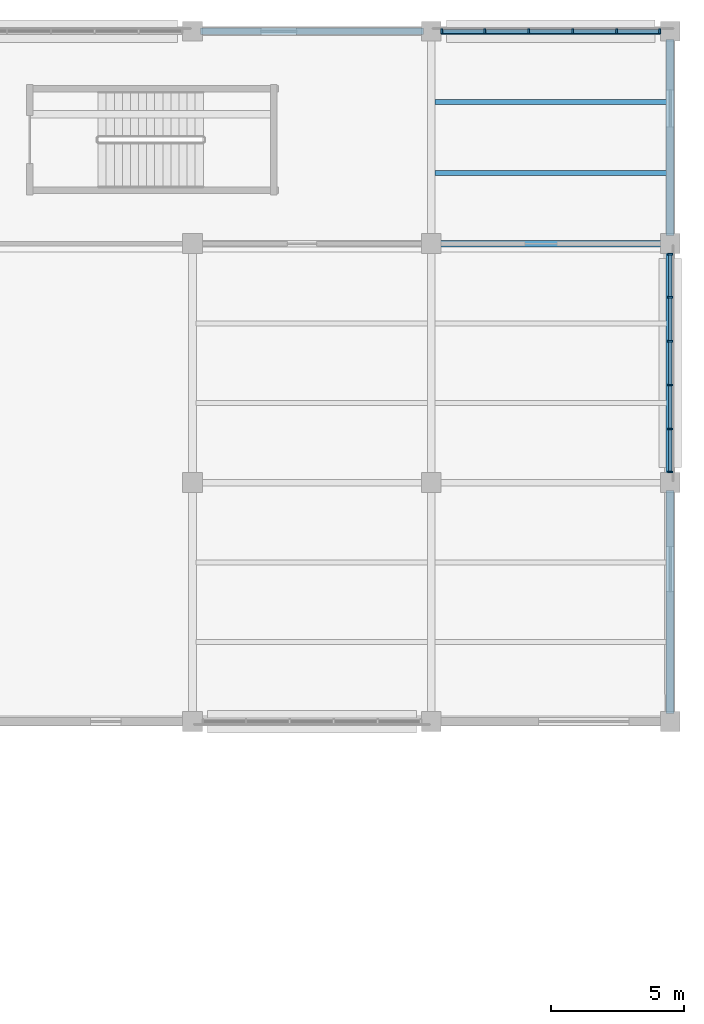
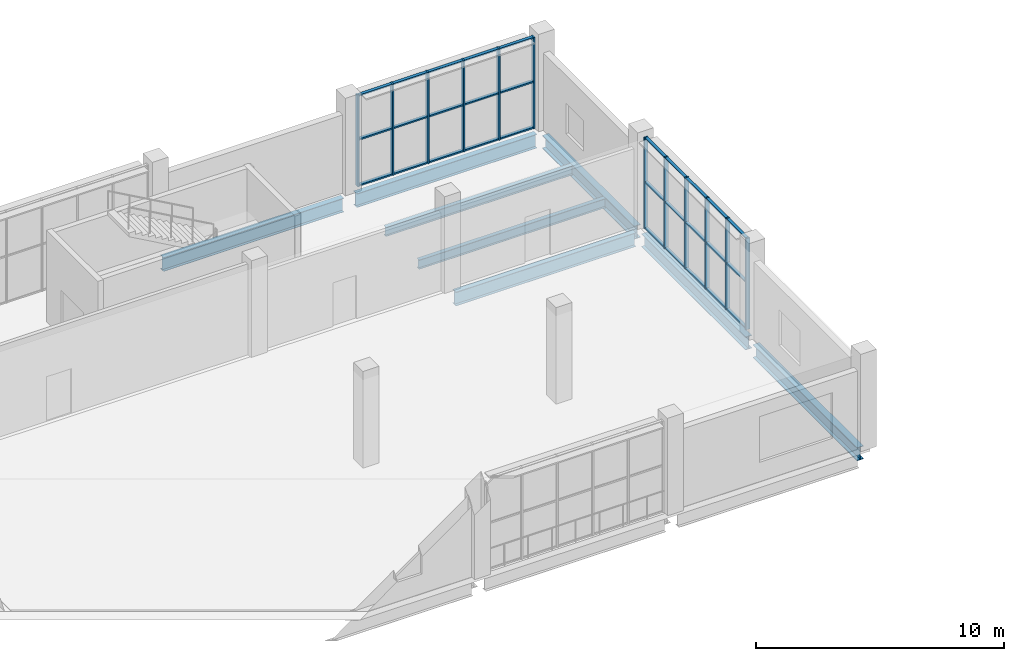
# One storey, part 74 of 179: 42 members, 8 beams, 2 elements without a shape of their own.
"""IFC4 building model written with IfcOpenShell, lengths in metres."""

from ifc_helpers import new_model, si_unit, direction, frame, origin, origin_2d, place, context, subcontext, project, spatial, rectangle, i_section, extrude, material, material_profile, profile_set, type_object, element, aggregate, save


model = new_model("IFC4")

# Units and contexts
model_context = context("Model", 3, precision=1e-05, world=origin(), true_north=direction((0.0, 1.0)))
body_context = subcontext(model_context, "Body", "Model", "MODEL_VIEW")
ifc_project = project(units=[si_unit("LENGTHUNIT", "METRE"), si_unit("AREAUNIT", "SQUARE_METRE"), si_unit("VOLUMEUNIT", "CUBIC_METRE"), si_unit("PLANEANGLEUNIT", "RADIAN"), si_unit("MASSUNIT", "GRAM", prefix="KILO")], contexts=[model_context])

# Site, building, storey
site_placement = place(None, origin())
site = spatial("IfcSite", under=ifc_project, at=site_placement, CompositionType="ELEMENT")
building_placement = place(site_placement, origin())
building = spatial("IfcBuilding", under=site, at=building_placement, Name="Zevraka Park Crest Stadium", CompositionType="ELEMENT")
storey_placement = place(building_placement, frame((0.0, 0.0, 10.199951171875)))
storey = spatial("IfcBuildingStorey", under=building, at=storey_placement, Name="L02", CompositionType="ELEMENT", Elevation=10.199951171875)

# Beams
ifc_material_1 = material(Name="Steel S355", Category="steel")
ifc_material_profile_1 = material_profile(ifc_material_1, i_section(OverallWidth=0.253662109375, OverallDepth=0.68359375, WebThickness=0.012451171875, FlangeThickness=0.01904296875, at=origin_2d()), Name="UKB 686x254x140")
ifc_profile_set_1 = profile_set([ifc_material_profile_1], Name="Steel S355")
beam_type_1 = type_object("IfcBeamType", Name="BG05", PredefinedType="BEAM", material=ifc_profile_set_1)
for number, where, z_axis, x_axis, name in (
    (1, (206.300048828125, 184.0, -0.629638671875), (1.0, 0.0, 0.0), (0.0, 1.0, 0.0), "Wing Girder BG05 L02-2324/W"),
    (2, (215.300048828125, 176.0, -0.629638671875), (1.0, 0.0, 0.0), (0.0, 1.0, 0.0), "Wing Girder BG05 L02-2425/V"),
    (3, (215.300048828125, 184.0, -0.629638671875), (1.0, 0.0, 0.0), (0.0, 1.0, 0.0), "Wing Girder BG05 L02-2425/W"),
):
    element("IfcBeam", number, at=place(storey_placement, frame(where, z_axis=z_axis, x_axis=x_axis)), inside=storey, type_object=beam_type_1, Name=name, PredefinedType="BEAM", context=body_context, shape_type="SweptSolid", body=[
        extrude(i_section(OverallWidth=0.253662109375, OverallDepth=0.68359375, WebThickness=0.012451171875, FlangeThickness=0.01904296875, at=origin_2d()), origin(), (0.0, 0.0, 1.0), 8.39990234375),
    ])
ifc_material_2 = material(Name="Steel S355", Category="steel")
ifc_material_profile_2 = material_profile(ifc_material_2, i_section(OverallWidth=0.300048828125, OverallDepth=0.64990234375, WebThickness=0.01611328125, FlangeThickness=0.031005859375, at=origin_2d()), Name="HEB 650")
ifc_profile_set_2 = profile_set([ifc_material_profile_2], Name="Steel S355")
beam_type_2 = type_object("IfcBeamType", Name="BG07", PredefinedType="BEAM", material=ifc_profile_set_2)
for number, where, z_axis, x_axis, name in (
    (4, (224.0, 158.300048828125, -0.613037109375), (0.0, 1.0, 0.0), (-1.0, 0.0, 0.0), "Wing Girder BG07 L02-25/TU"),
    (5, (224.0, 167.300048828125, -0.613037109375), (0.0, 1.0, 0.0), (-1.0, 0.0, 0.0), "Wing Girder BG07 L02-25/UV"),
):
    element("IfcBeam", number, at=place(storey_placement, frame(where, z_axis=z_axis, x_axis=x_axis)), inside=storey, type_object=beam_type_2, Name=name, PredefinedType="BEAM", context=body_context, shape_type="SweptSolid", body=[
        extrude(i_section(OverallWidth=0.300048828125, OverallDepth=0.64990234375, WebThickness=0.01611328125, FlangeThickness=0.031005859375, at=origin_2d()), origin(), (0.0, 0.0, 1.0), 8.39990234375),
    ])
beam_placement = place(storey_placement, frame((224.0, 176.300048828125, -0.613037109375), z_axis=(0.0, 1.0, 0.0), x_axis=(-1.0, 0.0, 0.0)))
element("IfcBeam", 6, at=beam_placement, inside=storey, type_object=beam_type_2, Name="Wing Girder BG07 L02-25/VW", PredefinedType="BEAM", context=body_context, shape_type="SweptSolid", body=[
    extrude(i_section(OverallWidth=0.300048828125, OverallDepth=0.64990234375, WebThickness=0.01611328125, FlangeThickness=0.031005859375, at=origin_2d()), origin(), (0.0, 0.0, 1.0), 7.39990234375),
])

# Curtain wall, members
ifc_material_3 = material(Name="Anodised architectural aluminium and laminated safety glass", Category="aluminium")
curtain_wall_type_1 = type_object("IfcCurtainWallType", Name="CW29", PredefinedType="NOTDEFINED", material=ifc_material_3)
curtain_wall_1_placement = place(storey_placement, origin())
curtain_wall_1 = element("IfcCurtainWall", 7, at=curtain_wall_1_placement, inside=storey, type_object=curtain_wall_type_1, Name="Wing Curtain Wall CW29 L02-NGATE-E-2", PredefinedType="NOTDEFINED")
ifc_material_4 = material(Name="Anodised architectural aluminium", Category="aluminium")
ifc_material_profile_3 = material_profile(ifc_material_4, rectangle(XDim=0.179931640625, YDim=0.06494140625, at=origin_2d()), Name="ALU MULLION 180x65")
ifc_profile_set_3 = profile_set([ifc_material_profile_3], Name="Anodised architectural aluminium")
member_type_1 = type_object("IfcMemberType", Name="CM02", PredefinedType="MULLION", material=ifc_profile_set_3)
member_1_placement = place(storey_placement, frame((224.0, 175.6025390625, 0.0), z_axis=(0.0, 0.0, 1.0), x_axis=(1.0, 0.0, 0.0)))
member_1 = element("IfcMember", 8, at=member_1_placement, type_object=member_type_1, Name="CW29 mullion 1", PredefinedType="MULLION", context=body_context, shape_type="SweptSolid", body=[
    extrude(rectangle(XDim=0.179931640625, YDim=0.06494140625, at=origin_2d()), origin(), (0.0, 0.0, 1.0), 4.5),
])
member_2_placement = place(storey_placement, frame((224.0, 173.98095703125, 0.0), z_axis=(0.0, 0.0, 1.0), x_axis=(1.0, 0.0, 0.0)))
member_2 = element("IfcMember", 9, at=member_2_placement, type_object=member_type_1, Name="CW29 mullion 2", PredefinedType="MULLION", context=body_context, shape_type="SweptSolid", body=[
    extrude(rectangle(XDim=0.179931640625, YDim=0.06494140625, at=origin_2d()), origin(), (0.0, 0.0, 1.0), 4.5),
])
member_3_placement = place(storey_placement, frame((224.0, 172.326904296875, 0.0), z_axis=(0.0, 0.0, 1.0), x_axis=(1.0, 0.0, 0.0)))
member_3 = element("IfcMember", 10, at=member_3_placement, type_object=member_type_1, Name="CW29 mullion 3", PredefinedType="MULLION", context=body_context, shape_type="SweptSolid", body=[
    extrude(rectangle(XDim=0.179931640625, YDim=0.06494140625, at=origin_2d()), origin(), (0.0, 0.0, 1.0), 4.5),
])
member_4_placement = place(storey_placement, frame((224.0, 170.673095703125, 0.0), z_axis=(0.0, 0.0, 1.0), x_axis=(1.0, 0.0, 0.0)))
member_4 = element("IfcMember", 11, at=member_4_placement, type_object=member_type_1, Name="CW29 mullion 4", PredefinedType="MULLION", context=body_context, shape_type="SweptSolid", body=[
    extrude(rectangle(XDim=0.179931640625, YDim=0.06494140625, at=origin_2d()), origin(), (0.0, 0.0, 1.0), 4.5),
])
member_5_placement = place(storey_placement, frame((224.0, 169.01904296875, 0.0), z_axis=(0.0, 0.0, 1.0), x_axis=(1.0, 0.0, 0.0)))
member_5 = element("IfcMember", 12, at=member_5_placement, type_object=member_type_1, Name="CW29 mullion 5", PredefinedType="MULLION", context=body_context, shape_type="SweptSolid", body=[
    extrude(rectangle(XDim=0.179931640625, YDim=0.06494140625, at=origin_2d()), origin(), (0.0, 0.0, 1.0), 4.5),
])
member_6_placement = place(storey_placement, frame((224.0, 167.3974609375, 0.0), z_axis=(0.0, 0.0, 1.0), x_axis=(1.0, 0.0, 0.0)))
member_6 = element("IfcMember", 13, at=member_6_placement, type_object=member_type_1, Name="CW29 mullion 6", PredefinedType="MULLION", context=body_context, shape_type="SweptSolid", body=[
    extrude(rectangle(XDim=0.179931640625, YDim=0.06494140625, at=origin_2d()), origin(), (0.0, 0.0, 1.0), 4.5),
])

ifc_material_5 = material(Name="Anodised architectural aluminium and laminated safety glass", Category="aluminium")
curtain_wall_type_2 = type_object("IfcCurtainWallType", Name="CW30", PredefinedType="NOTDEFINED", material=ifc_material_5)
curtain_wall_2_placement = place(storey_placement, origin())
curtain_wall_2 = element("IfcCurtainWall", 14, at=curtain_wall_2_placement, inside=storey, type_object=curtain_wall_type_2, Name="Wing Curtain Wall CW30 L02-NGATE-N-8", PredefinedType="NOTDEFINED")
ifc_material_6 = material(Name="Anodised architectural aluminium", Category="aluminium")
ifc_material_profile_4 = material_profile(ifc_material_6, rectangle(XDim=0.199951171875, YDim=0.070068359375, at=origin_2d()), Name="ALU MULLION 200x70")
ifc_profile_set_4 = profile_set([ifc_material_profile_4], Name="Anodised architectural aluminium")
member_type_2 = type_object("IfcMemberType", Name="CM03", PredefinedType="MULLION", material=ifc_profile_set_4)
member_7_placement = place(storey_placement, frame((215.39990234375, 184.0, 0.0), z_axis=(0.0, 0.0, 1.0), x_axis=(0.0, 1.0, 0.0)))
member_7 = element("IfcMember", 15, at=member_7_placement, type_object=member_type_2, Name="CW30 mullion 1", PredefinedType="MULLION", context=body_context, shape_type="SweptSolid", body=[
    extrude(rectangle(XDim=0.199951171875, YDim=0.070068359375, at=origin_2d()), origin(), (0.0, 0.0, 1.0), 4.5),
])
member_8_placement = place(storey_placement, frame((217.01904296875, 184.0, 0.0), z_axis=(0.0, 0.0, 1.0), x_axis=(0.0, 1.0, 0.0)))
member_8 = element("IfcMember", 16, at=member_8_placement, type_object=member_type_2, Name="CW30 mullion 2", PredefinedType="MULLION", context=body_context, shape_type="SweptSolid", body=[
    extrude(rectangle(XDim=0.199951171875, YDim=0.070068359375, at=origin_2d()), origin(), (0.0, 0.0, 1.0), 4.5),
])
member_9_placement = place(storey_placement, frame((218.673095703125, 184.0, 0.0), z_axis=(0.0, 0.0, 1.0), x_axis=(0.0, 1.0, 0.0)))
member_9 = element("IfcMember", 17, at=member_9_placement, type_object=member_type_2, Name="CW30 mullion 3", PredefinedType="MULLION", context=body_context, shape_type="SweptSolid", body=[
    extrude(rectangle(XDim=0.199951171875, YDim=0.070068359375, at=origin_2d()), origin(), (0.0, 0.0, 1.0), 4.5),
])
member_10_placement = place(storey_placement, frame((220.326904296875, 184.0, 0.0), z_axis=(0.0, 0.0, 1.0), x_axis=(0.0, 1.0, 0.0)))
member_10 = element("IfcMember", 18, at=member_10_placement, type_object=member_type_2, Name="CW30 mullion 4", PredefinedType="MULLION", context=body_context, shape_type="SweptSolid", body=[
    extrude(rectangle(XDim=0.199951171875, YDim=0.070068359375, at=origin_2d()), origin(), (0.0, 0.0, 1.0), 4.5),
])
member_11_placement = place(storey_placement, frame((221.98095703125, 184.0, 0.0), z_axis=(0.0, 0.0, 1.0), x_axis=(0.0, 1.0, 0.0)))
member_11 = element("IfcMember", 19, at=member_11_placement, type_object=member_type_2, Name="CW30 mullion 5", PredefinedType="MULLION", context=body_context, shape_type="SweptSolid", body=[
    extrude(rectangle(XDim=0.199951171875, YDim=0.070068359375, at=origin_2d()), origin(), (0.0, 0.0, 1.0), 4.5),
])
member_12_placement = place(storey_placement, frame((223.60009765625, 184.0, 0.0), z_axis=(0.0, 0.0, 1.0), x_axis=(0.0, 1.0, 0.0)))
member_12 = element("IfcMember", 20, at=member_12_placement, type_object=member_type_2, Name="CW30 mullion 6", PredefinedType="MULLION", context=body_context, shape_type="SweptSolid", body=[
    extrude(rectangle(XDim=0.199951171875, YDim=0.070068359375, at=origin_2d()), origin(), (0.0, 0.0, 1.0), 4.5),
])

# Member
ifc_material_7 = material(Name="Anodised architectural aluminium", Category="aluminium")
ifc_material_profile_5 = material_profile(ifc_material_7, rectangle(XDim=0.139892578125, YDim=0.06494140625, at=origin_2d()), Name="ALU TRANSOM 140x65")
ifc_profile_set_5 = profile_set([ifc_material_profile_5], Name="Anodised architectural aluminium")
member_type_3 = type_object("IfcMemberType", Name="CT02", PredefinedType="USERDEFINED", material=ifc_profile_set_5)
member_13_placement = place(storey_placement, frame((224.0, 175.570068359375, 0.032470703125), z_axis=(0.0, -1.0, 0.0), x_axis=(1.0, 0.0, 0.0)))
member_13 = element("IfcMember", 21, at=member_13_placement, type_object=member_type_3, Name="CW29 transom 1.1", ObjectType="TRANSOM", PredefinedType="USERDEFINED", context=body_context, shape_type="SweptSolid", body=[
    extrude(rectangle(XDim=0.139892578125, YDim=0.06494140625, at=origin_2d()), origin(), (0.0, 0.0, 1.0), 1.556640625),
])

member_14_placement = place(storey_placement, frame((224.0, 175.570068359375, 2.300048828125), z_axis=(0.0, -1.0, 0.0), x_axis=(1.0, 0.0, 0.0)))
member_14 = element("IfcMember", 22, at=member_14_placement, type_object=member_type_3, Name="CW29 transom 1.2", ObjectType="TRANSOM", PredefinedType="USERDEFINED", context=body_context, shape_type="SweptSolid", body=[
    extrude(rectangle(XDim=0.139892578125, YDim=0.06494140625, at=origin_2d()), origin(), (0.0, 0.0, 1.0), 1.556640625),
])

member_15_placement = place(storey_placement, frame((224.0, 175.570068359375, 4.467529296875), z_axis=(0.0, -1.0, 0.0), x_axis=(1.0, 0.0, 0.0)))
member_15 = element("IfcMember", 23, at=member_15_placement, type_object=member_type_3, Name="CW29 transom 1.3", ObjectType="TRANSOM", PredefinedType="USERDEFINED", context=body_context, shape_type="SweptSolid", body=[
    extrude(rectangle(XDim=0.139892578125, YDim=0.06494140625, at=origin_2d()), origin(), (0.0, 0.0, 1.0), 1.556640625),
])

member_16_placement = place(storey_placement, frame((224.0, 173.948486328125, 0.032470703125), z_axis=(0.0, -1.0, 0.0), x_axis=(1.0, 0.0, 0.0)))
member_16 = element("IfcMember", 24, at=member_16_placement, type_object=member_type_3, Name="CW29 transom 2.1", ObjectType="TRANSOM", PredefinedType="USERDEFINED", context=body_context, shape_type="SweptSolid", body=[
    extrude(rectangle(XDim=0.139892578125, YDim=0.06494140625, at=origin_2d()), origin(), (0.0, 0.0, 1.0), 1.5888671875),
])

member_17_placement = place(storey_placement, frame((224.0, 173.948486328125, 2.300048828125), z_axis=(0.0, -1.0, 0.0), x_axis=(1.0, 0.0, 0.0)))
member_17 = element("IfcMember", 25, at=member_17_placement, type_object=member_type_3, Name="CW29 transom 2.2", ObjectType="TRANSOM", PredefinedType="USERDEFINED", context=body_context, shape_type="SweptSolid", body=[
    extrude(rectangle(XDim=0.139892578125, YDim=0.06494140625, at=origin_2d()), origin(), (0.0, 0.0, 1.0), 1.5888671875),
])

member_18_placement = place(storey_placement, frame((224.0, 173.948486328125, 4.467529296875), z_axis=(0.0, -1.0, 0.0), x_axis=(1.0, 0.0, 0.0)))
member_18 = element("IfcMember", 26, at=member_18_placement, type_object=member_type_3, Name="CW29 transom 2.3", ObjectType="TRANSOM", PredefinedType="USERDEFINED", context=body_context, shape_type="SweptSolid", body=[
    extrude(rectangle(XDim=0.139892578125, YDim=0.06494140625, at=origin_2d()), origin(), (0.0, 0.0, 1.0), 1.5888671875),
])

member_19_placement = place(storey_placement, frame((224.0, 172.29443359375, 0.032470703125), z_axis=(0.0, -1.0, 0.0), x_axis=(1.0, 0.0, 0.0)))
member_19 = element("IfcMember", 27, at=member_19_placement, type_object=member_type_3, Name="CW29 transom 3.1", ObjectType="TRANSOM", PredefinedType="USERDEFINED", context=body_context, shape_type="SweptSolid", body=[
    extrude(rectangle(XDim=0.139892578125, YDim=0.06494140625, at=origin_2d()), origin(), (0.0, 0.0, 1.0), 1.5888671875),
])

member_20_placement = place(storey_placement, frame((224.0, 172.29443359375, 2.300048828125), z_axis=(0.0, -1.0, 0.0), x_axis=(1.0, 0.0, 0.0)))
member_20 = element("IfcMember", 28, at=member_20_placement, type_object=member_type_3, Name="CW29 transom 3.2", ObjectType="TRANSOM", PredefinedType="USERDEFINED", context=body_context, shape_type="SweptSolid", body=[
    extrude(rectangle(XDim=0.139892578125, YDim=0.06494140625, at=origin_2d()), origin(), (0.0, 0.0, 1.0), 1.5888671875),
])

member_21_placement = place(storey_placement, frame((224.0, 172.29443359375, 4.467529296875), z_axis=(0.0, -1.0, 0.0), x_axis=(1.0, 0.0, 0.0)))
member_21 = element("IfcMember", 29, at=member_21_placement, type_object=member_type_3, Name="CW29 transom 3.3", ObjectType="TRANSOM", PredefinedType="USERDEFINED", context=body_context, shape_type="SweptSolid", body=[
    extrude(rectangle(XDim=0.139892578125, YDim=0.06494140625, at=origin_2d()), origin(), (0.0, 0.0, 1.0), 1.5888671875),
])

member_22_placement = place(storey_placement, frame((224.0, 170.640380859375, 0.032470703125), z_axis=(0.0, -1.0, 0.0), x_axis=(1.0, 0.0, 0.0)))
member_22 = element("IfcMember", 30, at=member_22_placement, type_object=member_type_3, Name="CW29 transom 4.1", ObjectType="TRANSOM", PredefinedType="USERDEFINED", context=body_context, shape_type="SweptSolid", body=[
    extrude(rectangle(XDim=0.139892578125, YDim=0.06494140625, at=origin_2d()), origin(), (0.0, 0.0, 1.0), 1.5888671875),
])

member_23_placement = place(storey_placement, frame((224.0, 170.640380859375, 2.300048828125), z_axis=(0.0, -1.0, 0.0), x_axis=(1.0, 0.0, 0.0)))
member_23 = element("IfcMember", 31, at=member_23_placement, type_object=member_type_3, Name="CW29 transom 4.2", ObjectType="TRANSOM", PredefinedType="USERDEFINED", context=body_context, shape_type="SweptSolid", body=[
    extrude(rectangle(XDim=0.139892578125, YDim=0.06494140625, at=origin_2d()), origin(), (0.0, 0.0, 1.0), 1.5888671875),
])

member_24_placement = place(storey_placement, frame((224.0, 170.640380859375, 4.467529296875), z_axis=(0.0, -1.0, 0.0), x_axis=(1.0, 0.0, 0.0)))
member_24 = element("IfcMember", 32, at=member_24_placement, type_object=member_type_3, Name="CW29 transom 4.3", ObjectType="TRANSOM", PredefinedType="USERDEFINED", context=body_context, shape_type="SweptSolid", body=[
    extrude(rectangle(XDim=0.139892578125, YDim=0.06494140625, at=origin_2d()), origin(), (0.0, 0.0, 1.0), 1.5888671875),
])

member_25_placement = place(storey_placement, frame((224.0, 168.986572265625, 0.032470703125), z_axis=(0.0, -1.0, 0.0), x_axis=(1.0, 0.0, 0.0)))
member_25 = element("IfcMember", 33, at=member_25_placement, type_object=member_type_3, Name="CW29 transom 5.1", ObjectType="TRANSOM", PredefinedType="USERDEFINED", context=body_context, shape_type="SweptSolid", body=[
    extrude(rectangle(XDim=0.139892578125, YDim=0.06494140625, at=origin_2d()), origin(), (0.0, 0.0, 1.0), 1.556640625),
])

member_26_placement = place(storey_placement, frame((224.0, 168.986572265625, 2.300048828125), z_axis=(0.0, -1.0, 0.0), x_axis=(1.0, 0.0, 0.0)))
member_26 = element("IfcMember", 34, at=member_26_placement, type_object=member_type_3, Name="CW29 transom 5.2", ObjectType="TRANSOM", PredefinedType="USERDEFINED", context=body_context, shape_type="SweptSolid", body=[
    extrude(rectangle(XDim=0.139892578125, YDim=0.06494140625, at=origin_2d()), origin(), (0.0, 0.0, 1.0), 1.556640625),
])

member_27_placement = place(storey_placement, frame((224.0, 168.986572265625, 4.467529296875), z_axis=(0.0, -1.0, 0.0), x_axis=(1.0, 0.0, 0.0)))
member_27 = element("IfcMember", 35, at=member_27_placement, type_object=member_type_3, Name="CW29 transom 5.3", ObjectType="TRANSOM", PredefinedType="USERDEFINED", context=body_context, shape_type="SweptSolid", body=[
    extrude(rectangle(XDim=0.139892578125, YDim=0.06494140625, at=origin_2d()), origin(), (0.0, 0.0, 1.0), 1.556640625),
])

aggregate(curtain_wall_1, [member_1, member_2, member_3, member_4, member_5, member_6, member_13, member_14, member_15, member_16, member_17, member_18, member_19, member_20, member_21, member_22, member_23, member_24, member_25, member_26, member_27])

ifc_material_8 = material(Name="Anodised architectural aluminium", Category="aluminium")
ifc_material_profile_6 = material_profile(ifc_material_8, rectangle(XDim=0.14990234375, YDim=0.070068359375, at=origin_2d()), Name="ALU TRANSOM 150x70")
ifc_profile_set_6 = profile_set([ifc_material_profile_6], Name="Anodised architectural aluminium")
member_type_4 = type_object("IfcMemberType", Name="CT03", PredefinedType="USERDEFINED", material=ifc_profile_set_6)
member_28_placement = place(storey_placement, frame((215.43505859375, 184.0, 0.03515625), z_axis=(1.0, 0.0, 0.0), x_axis=(0.0, 1.0, 0.0)))
member_28 = element("IfcMember", 36, at=member_28_placement, type_object=member_type_4, Name="CW30 transom 1.1", ObjectType="TRANSOM", PredefinedType="USERDEFINED", context=body_context, shape_type="SweptSolid", body=[
    extrude(rectangle(XDim=0.14990234375, YDim=0.070068359375, at=origin_2d()), origin(), (0.0, 0.0, 1.0), 1.548828125),
])

member_29_placement = place(storey_placement, frame((215.43505859375, 184.0, 2.300048828125), z_axis=(1.0, 0.0, 0.0), x_axis=(0.0, 1.0, 0.0)))
member_29 = element("IfcMember", 37, at=member_29_placement, type_object=member_type_4, Name="CW30 transom 1.2", ObjectType="TRANSOM", PredefinedType="USERDEFINED", context=body_context, shape_type="SweptSolid", body=[
    extrude(rectangle(XDim=0.14990234375, YDim=0.070068359375, at=origin_2d()), origin(), (0.0, 0.0, 1.0), 1.548828125),
])

member_30_placement = place(storey_placement, frame((215.43505859375, 184.0, 4.465087890625), z_axis=(1.0, 0.0, 0.0), x_axis=(0.0, 1.0, 0.0)))
member_30 = element("IfcMember", 38, at=member_30_placement, type_object=member_type_4, Name="CW30 transom 1.3", ObjectType="TRANSOM", PredefinedType="USERDEFINED", context=body_context, shape_type="SweptSolid", body=[
    extrude(rectangle(XDim=0.14990234375, YDim=0.070068359375, at=origin_2d()), origin(), (0.0, 0.0, 1.0), 1.548828125),
])

member_31_placement = place(storey_placement, frame((217.053955078125, 184.0, 0.03515625), z_axis=(1.0, 0.0, 0.0), x_axis=(0.0, 1.0, 0.0)))
member_31 = element("IfcMember", 39, at=member_31_placement, type_object=member_type_4, Name="CW30 transom 2.1", ObjectType="TRANSOM", PredefinedType="USERDEFINED", context=body_context, shape_type="SweptSolid", body=[
    extrude(rectangle(XDim=0.14990234375, YDim=0.070068359375, at=origin_2d()), origin(), (0.0, 0.0, 1.0), 1.583984375),
])

member_32_placement = place(storey_placement, frame((217.053955078125, 184.0, 2.300048828125), z_axis=(1.0, 0.0, 0.0), x_axis=(0.0, 1.0, 0.0)))
member_32 = element("IfcMember", 40, at=member_32_placement, type_object=member_type_4, Name="CW30 transom 2.2", ObjectType="TRANSOM", PredefinedType="USERDEFINED", context=body_context, shape_type="SweptSolid", body=[
    extrude(rectangle(XDim=0.14990234375, YDim=0.070068359375, at=origin_2d()), origin(), (0.0, 0.0, 1.0), 1.583984375),
])

member_33_placement = place(storey_placement, frame((217.053955078125, 184.0, 4.465087890625), z_axis=(1.0, 0.0, 0.0), x_axis=(0.0, 1.0, 0.0)))
member_33 = element("IfcMember", 41, at=member_33_placement, type_object=member_type_4, Name="CW30 transom 2.3", ObjectType="TRANSOM", PredefinedType="USERDEFINED", context=body_context, shape_type="SweptSolid", body=[
    extrude(rectangle(XDim=0.14990234375, YDim=0.070068359375, at=origin_2d()), origin(), (0.0, 0.0, 1.0), 1.583984375),
])

member_34_placement = place(storey_placement, frame((218.7080078125, 184.0, 0.03515625), z_axis=(1.0, 0.0, 0.0), x_axis=(0.0, 1.0, 0.0)))
member_34 = element("IfcMember", 42, at=member_34_placement, type_object=member_type_4, Name="CW30 transom 3.1", ObjectType="TRANSOM", PredefinedType="USERDEFINED", context=body_context, shape_type="SweptSolid", body=[
    extrude(rectangle(XDim=0.14990234375, YDim=0.070068359375, at=origin_2d()), origin(), (0.0, 0.0, 1.0), 1.583984375),
])

member_35_placement = place(storey_placement, frame((218.7080078125, 184.0, 2.300048828125), z_axis=(1.0, 0.0, 0.0), x_axis=(0.0, 1.0, 0.0)))
member_35 = element("IfcMember", 43, at=member_35_placement, type_object=member_type_4, Name="CW30 transom 3.2", ObjectType="TRANSOM", PredefinedType="USERDEFINED", context=body_context, shape_type="SweptSolid", body=[
    extrude(rectangle(XDim=0.14990234375, YDim=0.070068359375, at=origin_2d()), origin(), (0.0, 0.0, 1.0), 1.583984375),
])

member_36_placement = place(storey_placement, frame((218.7080078125, 184.0, 4.465087890625), z_axis=(1.0, 0.0, 0.0), x_axis=(0.0, 1.0, 0.0)))
member_36 = element("IfcMember", 44, at=member_36_placement, type_object=member_type_4, Name="CW30 transom 3.3", ObjectType="TRANSOM", PredefinedType="USERDEFINED", context=body_context, shape_type="SweptSolid", body=[
    extrude(rectangle(XDim=0.14990234375, YDim=0.070068359375, at=origin_2d()), origin(), (0.0, 0.0, 1.0), 1.583984375),
])

member_37_placement = place(storey_placement, frame((220.362060546875, 184.0, 0.03515625), z_axis=(1.0, 0.0, 0.0), x_axis=(0.0, 1.0, 0.0)))
member_37 = element("IfcMember", 45, at=member_37_placement, type_object=member_type_4, Name="CW30 transom 4.1", ObjectType="TRANSOM", PredefinedType="USERDEFINED", context=body_context, shape_type="SweptSolid", body=[
    extrude(rectangle(XDim=0.14990234375, YDim=0.070068359375, at=origin_2d()), origin(), (0.0, 0.0, 1.0), 1.583984375),
])

member_38_placement = place(storey_placement, frame((220.362060546875, 184.0, 2.300048828125), z_axis=(1.0, 0.0, 0.0), x_axis=(0.0, 1.0, 0.0)))
member_38 = element("IfcMember", 46, at=member_38_placement, type_object=member_type_4, Name="CW30 transom 4.2", ObjectType="TRANSOM", PredefinedType="USERDEFINED", context=body_context, shape_type="SweptSolid", body=[
    extrude(rectangle(XDim=0.14990234375, YDim=0.070068359375, at=origin_2d()), origin(), (0.0, 0.0, 1.0), 1.583984375),
])

member_39_placement = place(storey_placement, frame((220.362060546875, 184.0, 4.465087890625), z_axis=(1.0, 0.0, 0.0), x_axis=(0.0, 1.0, 0.0)))
member_39 = element("IfcMember", 47, at=member_39_placement, type_object=member_type_4, Name="CW30 transom 4.3", ObjectType="TRANSOM", PredefinedType="USERDEFINED", context=body_context, shape_type="SweptSolid", body=[
    extrude(rectangle(XDim=0.14990234375, YDim=0.070068359375, at=origin_2d()), origin(), (0.0, 0.0, 1.0), 1.583984375),
])

member_40_placement = place(storey_placement, frame((222.01611328125, 184.0, 0.03515625), z_axis=(1.0, 0.0, 0.0), x_axis=(0.0, 1.0, 0.0)))
member_40 = element("IfcMember", 48, at=member_40_placement, type_object=member_type_4, Name="CW30 transom 5.1", ObjectType="TRANSOM", PredefinedType="USERDEFINED", context=body_context, shape_type="SweptSolid", body=[
    extrude(rectangle(XDim=0.14990234375, YDim=0.070068359375, at=origin_2d()), origin(), (0.0, 0.0, 1.0), 1.548828125),
])

member_41_placement = place(storey_placement, frame((222.01611328125, 184.0, 2.300048828125), z_axis=(1.0, 0.0, 0.0), x_axis=(0.0, 1.0, 0.0)))
member_41 = element("IfcMember", 49, at=member_41_placement, type_object=member_type_4, Name="CW30 transom 5.2", ObjectType="TRANSOM", PredefinedType="USERDEFINED", context=body_context, shape_type="SweptSolid", body=[
    extrude(rectangle(XDim=0.14990234375, YDim=0.070068359375, at=origin_2d()), origin(), (0.0, 0.0, 1.0), 1.548828125),
])

member_42_placement = place(storey_placement, frame((222.01611328125, 184.0, 4.465087890625), z_axis=(1.0, 0.0, 0.0), x_axis=(0.0, 1.0, 0.0)))
member_42 = element("IfcMember", 50, at=member_42_placement, type_object=member_type_4, Name="CW30 transom 5.3", ObjectType="TRANSOM", PredefinedType="USERDEFINED", context=body_context, shape_type="SweptSolid", body=[
    extrude(rectangle(XDim=0.14990234375, YDim=0.070068359375, at=origin_2d()), origin(), (0.0, 0.0, 1.0), 1.548828125),
])

aggregate(curtain_wall_2, [member_7, member_8, member_9, member_10, member_11, member_12, member_28, member_29, member_30, member_31, member_32, member_33, member_34, member_35, member_36, member_37, member_38, member_39, member_40, member_41, member_42])

# Beams
ifc_material_9 = material(Name="Steel S355", Category="steel")
ifc_material_profile_7 = material_profile(ifc_material_9, i_section(OverallWidth=0.18994140625, OverallDepth=0.45703125, WebThickness=0.009033203125, FlangeThickness=0.014404296875, at=origin_2d()), Name="UKB 457x191x74")
ifc_profile_set_7 = profile_set([ifc_material_profile_7], Name="Steel S355")
beam_type_3 = type_object("IfcBeamType", Name="SJ12", PredefinedType="JOIST", material=ifc_profile_set_7)
for number, where, z_axis, x_axis, name in (
    (51, (215.14501953125, 178.6669921875, -0.5185546875), (1.0, 0.0, 0.0), (0.0, 1.0, 0.0), "Wing Joist SJ12 L02-24/V-1"),
    (52, (215.14501953125, 181.3330078125, -0.5185546875), (1.0, 0.0, 0.0), (0.0, 1.0, 0.0), "Wing Joist SJ12 L02-24/V-2"),
):
    element("IfcBeam", number, at=place(storey_placement, frame(where, z_axis=z_axis, x_axis=x_axis)), inside=storey, type_object=beam_type_3, Name=name, PredefinedType="JOIST", context=body_context, shape_type="SweptSolid", body=[
        extrude(i_section(OverallWidth=0.18994140625, OverallDepth=0.45703125, WebThickness=0.009033203125, FlangeThickness=0.014404296875, at=origin_2d()), origin(), (0.0, 0.0, 1.0), 8.7099609375),
    ])

save(model, "model.ifc")
